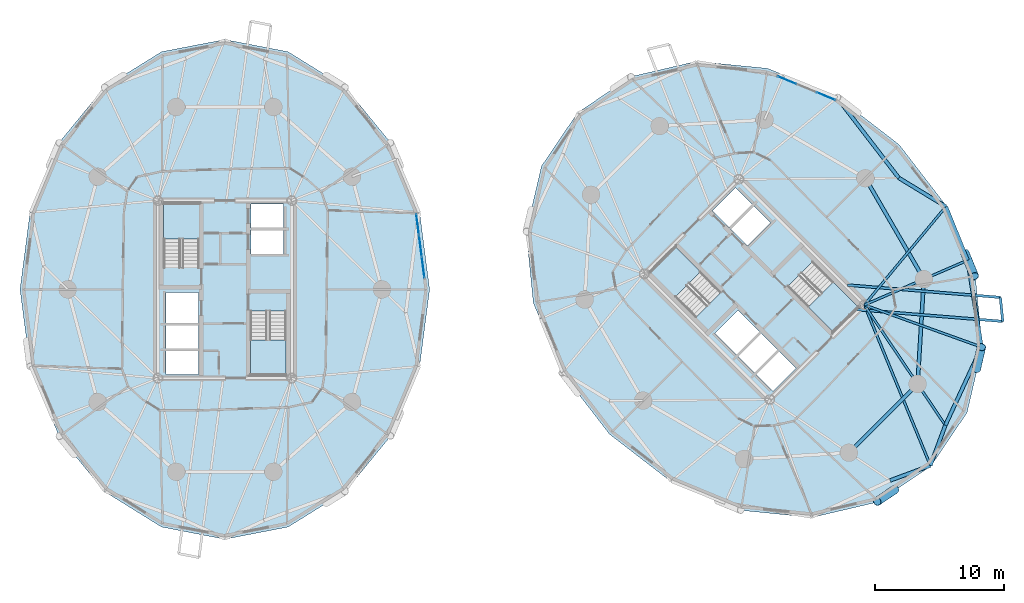
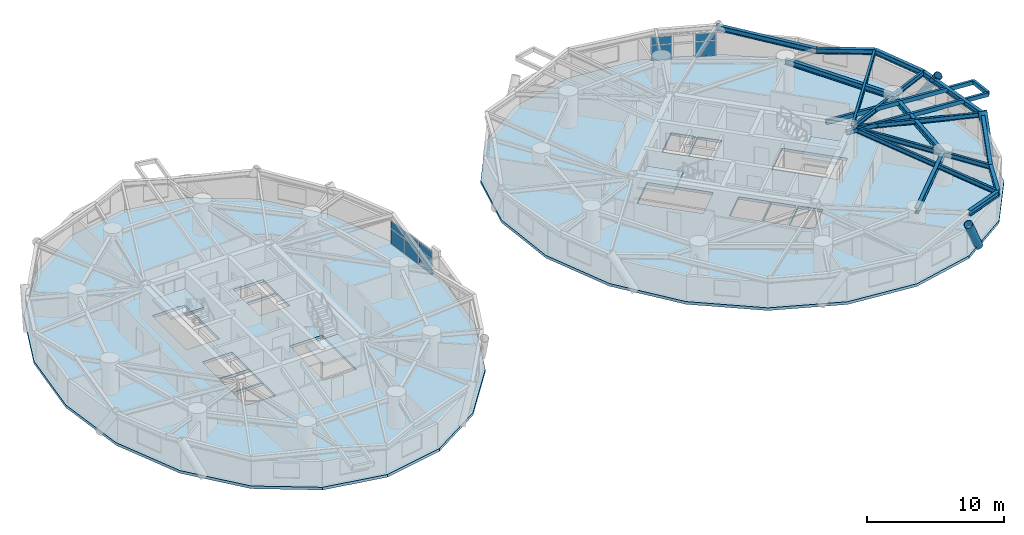
# One storey, part 8 of 17: 18 beams, 10 plates, 6 slabs, 3 members, 6 elements without a shape of their own.
"""IFC4 building model written with IfcOpenShell, lengths in metres."""

from ifc_helpers import new_model, si_unit, direction, frame, origin, origin_2d, place, context, subcontext, project, spatial, polyline, rectangle, hollow_rectangle, hollow_circle, i_section, outline, extrude, source, transform, mapped, material, layer, layer_set, material_profile, profile_set, type_object, element, aggregate, save


model = new_model("IFC4")

# Units and contexts
model_context = context("Model", 3, precision=1e-05, world=origin(), true_north=direction((0.0, 1.0)))
body_context = subcontext(model_context, "Body", "Model", "MODEL_VIEW")
ifc_project = project(units=[si_unit("LENGTHUNIT", "METRE"), si_unit("AREAUNIT", "SQUARE_METRE"), si_unit("VOLUMEUNIT", "CUBIC_METRE"), si_unit("PLANEANGLEUNIT", "RADIAN"), si_unit("MASSUNIT", "GRAM", prefix="KILO")], contexts=[model_context])

# Site, building, storey
site_placement = place(None, origin())
site = spatial("IfcSite", under=ifc_project, at=site_placement, CompositionType="ELEMENT")
building_placement = place(site_placement, origin())
building = spatial("IfcBuilding", under=site, at=building_placement, Name="Cununo Teusaquillo Station Towers", CompositionType="ELEMENT")
storey_placement = place(building_placement, frame((0.0, 0.0, 81.7900390625)))
storey = spatial("IfcBuildingStorey", under=building, at=storey_placement, Name="L25", CompositionType="ELEMENT", Elevation=81.7900390625)

# Beams
ifc_material_1 = material(Name="Steel EN 10025-2 S355J2", Category="steel")
ifc_material_profile_1 = material_profile(ifc_material_1, hollow_rectangle(XDim=0.199951171875, YDim=0.35009765625, WallThickness=0.013916015625, at=origin_2d()), Name="RHS 350x200x14")
ifc_profile_set_1 = profile_set([ifc_material_profile_1], Name="Steel EN 10025-2 S355J2")
beam_type_1 = type_object("IfcBeamType", Name="BM-BAL-CANT", PredefinedType="BEAM", material=ifc_profile_set_1)
beam_1_placement = place(storey_placement, frame((65.349609375, 22.945068359375, 2.494873046875), z_axis=(0.996745262171, -0.080615645749, 0.0), x_axis=(0.080615645749, 0.996745262171, 0.0)))
element("IfcBeam", 1, at=beam_1_placement, inside=storey, type_object=beam_type_1, Name="L25 Tower B Balcony Cantilever Bracket 2A", PredefinedType="BEAM", context=body_context, shape_type="SweptSolid", body=[
    extrude(hollow_rectangle(XDim=0.199951171875, YDim=0.35009765625, WallThickness=0.013916015625, at=origin_2d()), origin(), (0.0, 0.0, 1.0), 11.42626953125),
])
beam_2_placement = place(storey_placement, frame((64.73095703125, 24.835205078125, 2.494873046875), z_axis=(0.996743683159, -0.080635166538, 0.0), x_axis=(0.080635166538, 0.996743683159, 0.0)))
element("IfcBeam", 2, at=beam_2_placement, inside=storey, type_object=beam_type_1, Name="L25 Tower B Balcony Cantilever Bracket 2B", PredefinedType="BEAM", context=body_context, shape_type="SweptSolid", body=[
    extrude(hollow_rectangle(XDim=0.199951171875, YDim=0.35009765625, WallThickness=0.013916015625, at=origin_2d()), origin(), (0.0, 0.0, 1.0), 11.862548828125),
])
ifc_material_2 = material(Name="Steel ASTM A572 Grade 50", Category="steel")
ifc_material_profile_2 = material_profile(ifc_material_2, i_section(OverallWidth=0.180908203125, OverallDepth=0.4169921875, WebThickness=0.010986328125, FlangeThickness=0.018310546875, FilletRadius=0.012939453125, at=origin_2d()), Name="W16X57")
ifc_profile_set_2 = profile_set([ifc_material_profile_2], Name="Steel ASTM A572 Grade 50")
beam_type_2 = type_object("IfcBeamType", Name="BM-JOIST-1", PredefinedType="JOIST", material=ifc_profile_set_2)
beam_3_placement = place(storey_placement, frame((66.024169921875, 23.29443359375, 2.46142578125), z_axis=(0.380485864505, -0.924786735908, 0.0), x_axis=(0.924786735908, 0.380485864505, 0.0)))
element("IfcBeam", 3, at=beam_3_placement, inside=storey, type_object=beam_type_2, Name="L25 Tower B Radial Spandrel Joist V15", PredefinedType="JOIST", context=body_context, shape_type="SweptSolid", body=[
    extrude(i_section(OverallWidth=0.180908203125, OverallDepth=0.4169921875, WebThickness=0.010986328125, FlangeThickness=0.018310546875, FilletRadius=0.012939453125, at=origin_2d()), origin(), (0.0, 0.0, 1.0), 13.44580078125),
])
beam_4_placement = place(storey_placement, frame((66.024169921875, 23.29443359375, 2.46142578125), z_axis=(0.941082771055, -0.338176312038, 0.0), x_axis=(0.338176312038, 0.941082771055, 0.0)))
element("IfcBeam", 4, at=beam_4_placement, inside=storey, type_object=beam_type_2, Name="L25 Tower B Radial Spandrel Joist V17", PredefinedType="JOIST", context=body_context, shape_type="SweptSolid", body=[
    extrude(i_section(OverallWidth=0.180908203125, OverallDepth=0.4169921875, WebThickness=0.010986328125, FlangeThickness=0.018310546875, FilletRadius=0.012939453125, at=origin_2d()), origin(), (0.0, 0.0, 1.0), 9.646484375),
])
beam_5_placement = place(storey_placement, frame((66.024169921875, 23.29443359375, 2.46142578125), z_axis=(0.638372238196, 0.769727799615, 0.0), x_axis=(-0.769727799615, 0.638372238196, 0.0)))
element("IfcBeam", 5, at=beam_5_placement, inside=storey, type_object=beam_type_2, Name="L25 Tower B Radial Spandrel Joist V19", PredefinedType="JOIST", context=body_context, shape_type="SweptSolid", body=[
    extrude(i_section(OverallWidth=0.180908203125, OverallDepth=0.4169921875, WebThickness=0.010986328125, FlangeThickness=0.018310546875, FilletRadius=0.012939453125, at=origin_2d()), origin(), (0.0, 0.0, 1.0), 9.895263671875),
])
ifc_material_3 = material(Name="Steel ASTM A572 Grade 50", Category="steel")
ifc_material_profile_3 = material_profile(ifc_material_3, i_section(OverallWidth=0.180908203125, OverallDepth=0.4169921875, WebThickness=0.010986328125, FlangeThickness=0.018310546875, FilletRadius=0.012939453125, at=origin_2d()), Name="W16X57")
ifc_profile_set_3 = profile_set([ifc_material_profile_3], Name="Steel ASTM A572 Grade 50")
beam_type_3 = type_object("IfcBeamType", Name="BM-RAD-G2", PredefinedType="BEAM", material=ifc_profile_set_3)
beam_6_placement = place(storey_placement, frame((66.024169921875, 23.29443359375, 2.46142578125), z_axis=(0.558572297481, -0.82945583878, 0.0), x_axis=(0.82945583878, 0.558572297481, 0.0)))
element("IfcBeam", 6, at=beam_6_placement, inside=storey, type_object=beam_type_3, Name="L25 Tower B Continuous Overhanging Radial Girder 09", PredefinedType="BEAM", context=body_context, shape_type="SweptSolid", body=[
    extrude(i_section(OverallWidth=0.180908203125, OverallDepth=0.4169921875, WebThickness=0.010986328125, FlangeThickness=0.018310546875, FilletRadius=0.012939453125, at=origin_2d()), origin(), (0.0, 0.0, 1.0), 11.22998046875),
])
beam_7_placement = place(storey_placement, frame((66.024169921875, 23.29443359375, 2.46142578125), z_axis=(0.917654733344, 0.397378648609, 0.0), x_axis=(-0.397378648609, 0.917654733344, 0.0)))
element("IfcBeam", 7, at=beam_7_placement, inside=storey, type_object=beam_type_3, Name="L25 Tower B Continuous Overhanging Radial Girder 10", PredefinedType="BEAM", context=body_context, shape_type="SweptSolid", body=[
    extrude(i_section(OverallWidth=0.180908203125, OverallDepth=0.4169921875, WebThickness=0.010986328125, FlangeThickness=0.018310546875, FilletRadius=0.012939453125, at=origin_2d()), origin(), (0.0, 0.0, 1.0), 8.71484375),
])
ifc_material_4 = material(Name="Steel ASTM A572 Grade 50", Category="steel")
ifc_material_profile_4 = material_profile(ifc_material_4, i_section(OverallWidth=0.280029296875, OverallDepth=0.462890625, WebThickness=0.0107421875, FlangeThickness=0.017333984375, FilletRadius=0.013916015625, at=origin_2d()), Name="W18X76")
ifc_profile_set_4 = profile_set([ifc_material_profile_4], Name="Steel ASTM A572 Grade 50")
beam_type_4 = type_object("IfcBeamType", Name="BM-RING-Z2", PredefinedType="SPANDREL", material=ifc_profile_set_4)
beam_8_placement = place(storey_placement, frame((64.826904296875, 11.853759765625, 2.4384765625), z_axis=(0.707106781187, 0.707106781187, 0.0), x_axis=(-0.707106781187, 0.707106781187, 0.0)))
element("IfcBeam", 8, at=beam_8_placement, inside=storey, type_object=beam_type_4, Name="L25 Tower B Structural Column Ring Girder 08", PredefinedType="SPANDREL", context=body_context, shape_type="SweptSolid", body=[
    extrude(i_section(OverallWidth=0.280029296875, OverallDepth=0.462890625, WebThickness=0.0107421875, FlangeThickness=0.017333984375, FilletRadius=0.013916015625, at=origin_2d()), origin(), (0.0, 0.0, 1.0), 7.522705078125),
])
beam_9_placement = place(storey_placement, frame((70.146240234375, 17.173095703125, 2.4384765625), z_axis=(0.06012979176, 0.998190567048, 0.0), x_axis=(-0.998190567048, 0.06012979176, 0.0)))
element("IfcBeam", 9, at=beam_9_placement, inside=storey, type_object=beam_type_4, Name="L25 Tower B Structural Column Ring Girder 09", PredefinedType="SPANDREL", context=body_context, shape_type="SweptSolid", body=[
    extrude(i_section(OverallWidth=0.280029296875, OverallDepth=0.462890625, WebThickness=0.0107421875, FlangeThickness=0.017333984375, FilletRadius=0.013916015625, at=origin_2d()), origin(), (0.0, 0.0, 1.0), 8.132568359375),
])
beam_10_placement = place(storey_placement, frame((70.63525390625, 25.291015625, 2.4384765625), z_axis=(-0.501311121078, 0.865267103202, 0.0), x_axis=(-0.865267103202, -0.501311121078, 0.0)))
element("IfcBeam", 10, at=beam_10_placement, inside=storey, type_object=beam_type_4, Name="L25 Tower B Structural Column Ring Girder 10", PredefinedType="SPANDREL", context=body_context, shape_type="SweptSolid", body=[
    extrude(i_section(OverallWidth=0.280029296875, OverallDepth=0.462890625, WebThickness=0.0107421875, FlangeThickness=0.017333984375, FilletRadius=0.013916015625, at=origin_2d()), origin(), (0.0, 0.0, 1.0), 9.032958984375),
])
beam_11_placement = place(storey_placement, frame((68.694580078125, 33.12890625, 2.4384765625), z_axis=(-0.610100441726, 0.792324082056, 0.0), x_axis=(-0.792324082056, -0.610100441726, 0.0)))
element("IfcBeam", 11, at=beam_11_placement, inside=storey, type_object=beam_type_4, Name="L25 Tower B Spandrel Ring Beam 01", PredefinedType="SPANDREL", context=body_context, shape_type="SweptSolid", body=[
    extrude(i_section(OverallWidth=0.280029296875, OverallDepth=0.462890625, WebThickness=0.0107421875, FlangeThickness=0.017333984375, FilletRadius=0.013916015625, at=origin_2d()), origin(), (0.0, 0.0, 1.0), 7.84033203125),
])
for number, where, z_axis, x_axis, name in (
    (12, (68.020263671875, 9.703125, 2.4384765625), (0.937628334414, 0.347639333943, 0.0), (-0.347639333943, 0.937628334414, 0.0), "L25 Tower B Spandrel Ring Beam 15"),
    (13, (71.14013671875, 10.85986328125, 2.4384765625), (0.347639333943, 0.937628334414, 0.0), (-0.937628334414, 0.347639333943, 0.0), "L25 Tower B Spandrel Ring Beam 16"),
):
    element("IfcBeam", number, at=place(storey_placement, frame(where, z_axis=z_axis, x_axis=x_axis)), inside=storey, type_object=beam_type_4, Name=name, PredefinedType="SPANDREL", context=body_context, shape_type="SweptSolid", body=[
        extrude(i_section(OverallWidth=0.280029296875, OverallDepth=0.462890625, WebThickness=0.0107421875, FlangeThickness=0.017333984375, FilletRadius=0.013916015625, at=origin_2d()), origin(), (0.0, 0.0, 1.0), 3.327392578125),
    ])
beam_12_placement = place(storey_placement, frame((72.296875, 13.979736328125, 2.4384765625), z_axis=(0.420535961689, 0.907275870354, 0.0), x_axis=(-0.907275870354, 0.420535961689, 0.0)))
element("IfcBeam", 14, at=beam_12_placement, inside=storey, type_object=beam_type_4, Name="L25 Tower B Spandrel Ring Beam 17", PredefinedType="SPANDREL", context=body_context, shape_type="SweptSolid", body=[
    extrude(i_section(OverallWidth=0.280029296875, OverallDepth=0.462890625, WebThickness=0.0107421875, FlangeThickness=0.017333984375, FilletRadius=0.013916015625, at=origin_2d()), origin(), (0.0, 0.0, 1.0), 6.671142578125),
])
beam_13_placement = place(storey_placement, frame((75.102294921875, 20.0322265625, 2.4384765625), z_axis=(-0.158671232312, 0.987331474246, 0.0), x_axis=(-0.987331474246, -0.158671232312, 0.0)))
element("IfcBeam", 15, at=beam_13_placement, inside=storey, type_object=beam_type_4, Name="L25 Tower B Spandrel Ring Beam 18", PredefinedType="SPANDREL", context=body_context, shape_type="SweptSolid", body=[
    extrude(i_section(OverallWidth=0.280029296875, OverallDepth=0.462890625, WebThickness=0.0107421875, FlangeThickness=0.017333984375, FilletRadius=0.013916015625, at=origin_2d()), origin(), (0.0, 0.0, 1.0), 6.8115234375),
])
beam_14_placement = place(storey_placement, frame((74.021484375, 26.757568359375, 2.4384765625), z_axis=(-0.375042266631, 0.927007712072, 0.0), x_axis=(-0.927007712072, -0.375042266631, 0.0)))
element("IfcBeam", 16, at=beam_14_placement, inside=storey, type_object=beam_type_4, Name="L25 Tower B Spandrel Ring Beam 19", PredefinedType="SPANDREL", context=body_context, shape_type="SweptSolid", body=[
    extrude(i_section(OverallWidth=0.280029296875, OverallDepth=0.462890625, WebThickness=0.0107421875, FlangeThickness=0.017333984375, FilletRadius=0.013916015625, at=origin_2d()), origin(), (0.0, 0.0, 1.0), 4.480712890625),
])
beam_15_placement = place(storey_placement, frame((72.341064453125, 30.9111328125, 2.4384765625), z_axis=(-0.854388492444, 0.519634779416, 0.0), x_axis=(-0.519634779416, -0.854388492444, 0.0)))
element("IfcBeam", 17, at=beam_15_placement, inside=storey, type_object=beam_type_4, Name="L25 Tower B Spandrel Ring Beam 20", PredefinedType="SPANDREL", context=body_context, shape_type="SweptSolid", body=[
    extrude(i_section(OverallWidth=0.280029296875, OverallDepth=0.462890625, WebThickness=0.0107421875, FlangeThickness=0.017333984375, FilletRadius=0.013916015625, at=origin_2d()), origin(), (0.0, 0.0, 1.0), 4.26806640625),
])
ifc_material_5 = material(Name="Steel EN 10025-2 S355J2", Category="steel")
ifc_material_profile_5 = material_profile(ifc_material_5, hollow_rectangle(XDim=0.199951171875, YDim=0.35009765625, WallThickness=0.013916015625, at=origin_2d()), Name="RHS 350x200x14")
ifc_profile_set_5 = profile_set([ifc_material_profile_5], Name="Steel EN 10025-2 S355J2")
beam_type_5 = type_object("IfcBeamType", Name="BM-STAIR-TRIM", PredefinedType="BEAM", material=ifc_profile_set_5)
beam_16_placement = place(storey_placement, frame((76.73876953125, 22.02392578125, 2.52490234375), z_axis=(-0.098634743912, 0.995123704518, 0.0), x_axis=(-0.995123704518, -0.098634743912, 0.0)))
element("IfcBeam", 18, at=beam_16_placement, inside=storey, type_object=beam_type_5, Name="L25 Tower B Balcony Edge Trimmer Beam 2", PredefinedType="BEAM", context=body_context, shape_type="SweptSolid", body=[
    extrude(hollow_rectangle(XDim=0.199951171875, YDim=0.35009765625, WallThickness=0.013916015625, at=origin_2d()), origin(), (0.0, 0.0, 1.0), 1.86376953125),
])

# Members
ifc_material_6 = material(Name="Steel EN 10025-2 S355J2", Category="steel")
ifc_material_profile_6 = material_profile(ifc_material_6, hollow_circle(Radius=0.330078125, WallThickness=0.02490234375, at=origin_2d()), Name="CHS 660x25")
ifc_profile_set_6 = profile_set([ifc_material_profile_6], Name="Steel EN 10025-2 S355J2")
member_type = type_object("IfcMemberType", Name="MBR-DIAG-Z2", PredefinedType="BRACE", material=ifc_profile_set_6)
member_1_placement = place(storey_placement, frame((68.393310546875, 9.003173828125, -0.14013671875), z_axis=(-0.410098958558, -0.277214066725, 0.868890790261), x_axis=(0.560024081213, -0.828476329452, 0.0)))
element("IfcMember", 19, at=member_1_placement, inside=storey, type_object=member_type, Name="L25 Tower B Folded-Zigzag Diagrid Tube C14", PredefinedType="BRACE", context=body_context, shape_type="SweptSolid", body=[
    extrude(hollow_circle(Radius=0.330078125, WallThickness=0.02490234375, at=origin_2d()), origin(), (0.0, 0.0, 1.0), 3.349365234375),
])
member_2_placement = place(storey_placement, frame((74.7099609375, 18.348388671875, -0.14013671875), z_axis=(0.115903584987, 0.497440588461, 0.859720431268), x_axis=(-0.973913029911, 0.226921594761, 0.0)))
element("IfcMember", 20, at=member_2_placement, inside=storey, type_object=member_type, Name="L25 Tower B Folded-Zigzag Diagrid Tube C16", PredefinedType="BRACE", context=body_context, shape_type="SweptSolid", body=[
    extrude(hollow_circle(Radius=0.330078125, WallThickness=0.02490234375, at=origin_2d()), origin(), (0.0, 0.0, 1.0), 3.385009765625),
])
member_3_placement = place(storey_placement, frame((73.818115234375, 27.318115234375, -0.14013671875), z_axis=(0.211081064796, -0.513432884221, 0.831764063593), x_axis=(0.924888817599, 0.380237656053, 0.0)))
element("IfcMember", 21, at=member_3_placement, inside=storey, type_object=member_type, Name="L25 Tower B Folded-Zigzag Diagrid Tube C18", PredefinedType="BRACE", context=body_context, shape_type="SweptSolid", body=[
    extrude(hollow_circle(Radius=0.330078125, WallThickness=0.02490234375, at=origin_2d()), origin(), (0.0, 0.0, 1.0), 3.498779296875),
])

# Stair, slab
ifc_material_7 = material(Name="Concrete C50/60", Category="concrete")
stair_type = type_object("IfcStairType", Name="ST-TWR-1300", PredefinedType="HALF_TURN_STAIR", material=ifc_material_7)
stair_1_placement = place(storey_placement, origin())
stair_1 = element("IfcStair", 22, at=stair_1_placement, inside=storey, type_object=stair_type, Name="L25 Tower A Protected Core Exit Stair 1", PredefinedType="HALF_TURN_STAIR")
ifc_material_8 = material(Name="Concrete C50/60", Category="concrete")
ifc_layer_1 = layer(ifc_material_8, 0.199951171875)
ifc_layer_set_1 = layer_set([ifc_layer_1], Name="Concrete C50/60")
slab_type_1 = type_object("IfcSlabType", Name="SLB-STAIR-LND", PredefinedType="LANDING", material=ifc_layer_set_1)
slab_1_placement = place(storey_placement, frame((0.0, 0.0, 1.2548828125)))
slab_1 = element("IfcSlab", 23, at=slab_1_placement, type_object=slab_type_1, Name="ST-T1-1 landing 1", PredefinedType="LANDING", context=body_context, shape_type="SweptSolid", body=[
    extrude(outline(polyline([(14.52001953125, 28.409912109375), (14.52001953125, 31.159912109375), (11.760009765625, 31.159912109375), (11.760009765625, 28.409912109375), (14.52001953125, 28.409912109375)])), origin(), (0.0, 0.0, 1.0), 0.2001953125),
])
aggregate(stair_1, [slab_1])

stair_2_placement = place(storey_placement, origin())
stair_2 = element("IfcStair", 24, at=stair_2_placement, inside=storey, type_object=stair_type, Name="L25 Tower A Protected Core Exit Stair 2", PredefinedType="HALF_TURN_STAIR")
slab_2_placement = place(storey_placement, frame((0.0, 0.0, 1.2548828125)))
slab_2 = element("IfcSlab", 25, at=slab_2_placement, type_object=slab_type_1, Name="ST-T1-2 landing 1", PredefinedType="LANDING", context=body_context, shape_type="SweptSolid", body=[
    extrude(outline(polyline([(18.47998046875, 20.590087890625), (18.47998046875, 17.840087890625), (21.239990234375, 17.840087890625), (21.239990234375, 20.590087890625), (18.47998046875, 20.590087890625)])), origin(), (0.0, 0.0, 1.0), 0.2001953125),
])
aggregate(stair_2, [slab_2])

stair_3_placement = place(storey_placement, origin())
stair_3 = element("IfcStair", 26, at=stair_3_placement, inside=storey, type_object=stair_type, Name="L25 Tower B Protected Core Exit Stair 1", PredefinedType="HALF_TURN_STAIR")
slab_3_placement = place(storey_placement, frame((0.0, 0.0, 1.2548828125)))
slab_3 = element("IfcSlab", 27, at=slab_3_placement, type_object=slab_type_1, Name="ST-T2-1 landing 1", PredefinedType="LANDING", context=body_context, shape_type="SweptSolid", body=[
    extrude(outline(polyline([(53.335205078125, 25.86474609375), (51.390625, 27.809326171875), (49.43896484375, 25.857666015625), (51.383544921875, 23.9130859375), (53.335205078125, 25.86474609375)])), origin(), (0.0, 0.0, 1.0), 0.2001953125),
])
aggregate(stair_3, [slab_3])

stair_4_placement = place(storey_placement, origin())
stair_4 = element("IfcStair", 28, at=stair_4_placement, inside=storey, type_object=stair_type, Name="L25 Tower B Protected Core Exit Stair 2", PredefinedType="HALF_TURN_STAIR")
slab_4_placement = place(storey_placement, frame((0.0, 0.0, 1.2548828125)))
slab_4 = element("IfcSlab", 29, at=slab_4_placement, type_object=slab_type_1, Name="ST-T2-2 landing 1", PredefinedType="LANDING", context=body_context, shape_type="SweptSolid", body=[
    extrude(outline(polyline([(61.664794921875, 23.13525390625), (63.609375, 21.190673828125), (65.56103515625, 23.142333984375), (63.616455078125, 25.0869140625), (61.664794921875, 23.13525390625)])), origin(), (0.0, 0.0, 1.0), 0.2001953125),
])
aggregate(stair_4, [slab_4])

# Slabs
ifc_material_9 = material(Name="Concrete C40/50", Category="concrete")
ifc_layer_2 = layer(ifc_material_9, 0.239990234375)
ifc_layer_set_2 = layer_set([ifc_layer_2], Name="Concrete C40/50")
slab_type_2 = type_object("IfcSlabType", Name="SLB-Z2-240", PredefinedType="FLOOR", material=ifc_layer_set_2)
slab_5_placement = place(storey_placement, frame((0.0, 0.0, -0.239990234375)))
element("IfcSlab", 30, at=slab_5_placement, inside=storey, type_object=slab_type_2, Name="L25 Tower A Floor Slab", PredefinedType="FLOOR", context=body_context, shape_type="SweptSolid", body=[
    extrude(outline(polyline([(32.361083984375, 24.5), (31.584716796875, 30.4794921875), (29.331787109375, 35.87353515625), (25.822998046875, 40.154541015625), (21.4013671875, 42.90283203125), (16.5, 43.85009765625), (11.5986328125, 42.90283203125), (7.177001953125, 40.154541015625), (3.668212890625, 35.87353515625), (1.415283203125, 30.4794921875), (0.638916015625, 24.5), (1.415283203125, 18.5205078125), (3.668212890625, 13.12646484375), (7.177001953125, 8.845458984375), (11.5986328125, 6.09716796875), (16.5, 5.14990234375), (21.4013671875, 6.09716796875), (25.822998046875, 8.845458984375), (29.331787109375, 13.12646484375), (31.584716796875, 18.5205078125), (32.361083984375, 24.5)]), holes=[polyline([(14.52001953125, 26.176025390625), (14.52001953125, 31.159912109375), (11.760009765625, 31.159912109375), (11.760009765625, 26.176025390625), (14.52001953125, 26.176025390625)]), polyline([(18.47998046875, 22.823974609375), (18.47998046875, 17.840087890625), (21.239990234375, 17.840087890625), (21.239990234375, 22.823974609375), (18.47998046875, 22.823974609375)]), polyline([(11.949951171875, 21.85009765625), (14.47998046875, 21.85009765625), (14.47998046875, 24.25), (11.949951171875, 24.25), (11.949951171875, 21.85009765625)]), polyline([(11.949951171875, 17.89990234375), (14.47998046875, 17.89990234375), (14.47998046875, 19.75), (11.949951171875, 19.75), (11.949951171875, 17.89990234375)]), polyline([(11.949951171875, 19.89990234375), (14.47998046875, 19.89990234375), (14.47998046875, 21.75), (11.949951171875, 21.75), (11.949951171875, 19.89990234375)]), polyline([(18.52001953125, 27.25), (21.050048828125, 27.25), (21.050048828125, 29.10009765625), (18.52001953125, 29.10009765625), (18.52001953125, 27.25)]), polyline([(18.52001953125, 29.25), (21.050048828125, 29.25), (21.050048828125, 31.10009765625), (18.52001953125, 31.10009765625), (18.52001953125, 29.25)])]), origin(), (0.0, 0.0, 1.0), 0.239990234375),
])
slab_6_placement = place(storey_placement, frame((0.0, 0.0, -0.239990234375)))
element("IfcSlab", 31, at=slab_6_placement, inside=storey, type_object=slab_type_2, Name="L25 Tower B Floor Slab", PredefinedType="FLOOR", context=body_context, shape_type="SweptSolid", body=[
    extrude(outline(polyline([(68.71533203125, 35.71533203125), (63.938232421875, 39.39453125), (58.531005859375, 41.61572265625), (53.02294921875, 42.16162109375), (47.952880859375, 40.978515625), (43.8173828125, 38.1826171875), (41.021484375, 34.047119140625), (39.83837890625, 28.97705078125), (40.38427734375, 23.468994140625), (42.60546875, 18.061767578125), (46.28466796875, 13.28466796875), (51.061767578125, 9.60546875), (56.468994140625, 7.38427734375), (61.97705078125, 6.83837890625), (67.047119140625, 8.021484375), (71.1826171875, 10.8173828125), (73.978515625, 14.952880859375), (75.16162109375, 20.02294921875), (74.61572265625, 25.531005859375), (72.39453125, 30.938232421875), (68.71533203125, 35.71533203125)]), holes=[polyline([(54.914794921875, 24.28515625), (51.390625, 27.809326171875), (49.43896484375, 25.857666015625), (52.963134765625, 22.33349609375), (54.914794921875, 24.28515625)]), polyline([(60.085205078125, 24.71484375), (63.609375, 21.190673828125), (65.56103515625, 23.142333984375), (62.036865234375, 26.66650390625), (60.085205078125, 24.71484375)]), polyline([(56.156494140625, 19.40869140625), (57.945556640625, 21.19775390625), (56.248291015625, 22.89501953125), (54.45947265625, 21.10595703125), (56.156494140625, 19.40869140625)]), polyline([(58.94970703125, 16.61572265625), (60.738525390625, 18.40478515625), (59.430419921875, 19.712890625), (57.641357421875, 17.923828125), (58.94970703125, 16.61572265625)]), polyline([(57.535400390625, 18.030029296875), (59.32421875, 19.819091796875), (58.01611328125, 21.127197265625), (56.227294921875, 19.338134765625), (57.535400390625, 18.030029296875)]), polyline([(56.98388671875, 27.872802734375), (58.772705078125, 29.661865234375), (57.464599609375, 30.969970703125), (55.67578125, 29.180908203125), (56.98388671875, 27.872802734375)]), polyline([(55.569580078125, 29.287109375), (57.358642578125, 31.076171875), (56.05029296875, 32.38427734375), (54.261474609375, 30.59521484375), (55.569580078125, 29.287109375)])]), origin(), (0.0, 0.0, 1.0), 0.239990234375),
])

# Curtain wall, plates
ifc_material_10 = material(Name="Ceramic-fritted dark low-E double glazing", Category="glass")
ifc_layer_3 = layer(ifc_material_10, 0.179931640625)
ifc_layer_set_3 = layer_set([ifc_layer_3], Name="Ceramic-fritted dark low-E double glazing")
curtain_wall_type = type_object("IfcCurtainWallType", Name="CW-SYS-04", PredefinedType="USERDEFINED", material=ifc_layer_set_3)
curtain_wall_1_placement = place(storey_placement, origin())
curtain_wall_1 = element("IfcCurtainWall", 32, at=curtain_wall_1_placement, inside=storey, type_object=curtain_wall_type, Name="L25 Tower A Facade Curtain Wall C00", ObjectType="FRITTED GLAZING", PredefinedType="USERDEFINED")
ifc_material_11 = material(Name="Ceramic-fritted dark low-E double glazing", Category="glass")
ifc_layer_4 = layer(ifc_material_11, 0.028076171875)
ifc_layer_set_4 = layer_set([ifc_layer_4], Name="Ceramic-fritted dark low-E double glazing")
plate_type = type_object("IfcPlateType", Name="CWP-FRIT-28", PredefinedType="CURTAIN_PANEL", material=ifc_layer_set_4)
shared_shape_1 = source(origin(), body_context, "Body", "SweptSolid", [
    extrude(rectangle(XDim=1.59228515625, YDim=0.028076171875, at=origin_2d()), origin(), (0.0, 0.0, 1.0), 1.31103515625),
])
plate_1_placement = place(storey_placement, frame((31.429443359375, 29.533935546875, 0.06982421875), z_axis=(0.0, 0.0, 1.0), x_axis=(0.128335852387, -0.991730764367, 0.0)))
plate_1 = element("IfcPlate", 33, at=plate_1_placement, type_object=plate_type, Name="CW-04 panel 1.1", PredefinedType="CURTAIN_PANEL", context=body_context, shape_type="MappedRepresentation", body=[
    mapped(shared_shape_1, transform((0.0, 0.0, 0.0), x_axis=(1.0, 0.0, 0.0), y_axis=(0.0, 1.0, 0.0), z_axis=(0.0, 0.0, 1.0), scale=1.0)),
])
plate_2_placement = place(storey_placement, frame((31.86083984375, 26.201904296875, 0.06982421875), z_axis=(0.0, 0.0, 1.0), x_axis=(0.128335852387, -0.991730764367, 0.0)))
plate_2 = element("IfcPlate", 34, at=plate_2_placement, type_object=plate_type, Name="CW-04 panel 3.1", PredefinedType="CURTAIN_PANEL", context=body_context, shape_type="MappedRepresentation", body=[
    mapped(shared_shape_1, transform((0.0, 0.0, 0.0), x_axis=(1.0, 0.0, 0.0), y_axis=(0.0, 1.0, 0.0), z_axis=(0.0, 0.0, 1.0), scale=1.0)),
])
shared_shape_2 = source(origin(), body_context, "Body", "SweptSolid", [
    extrude(rectangle(XDim=1.59228515625, YDim=0.028076171875, at=origin_2d()), origin(), (0.0, 0.0, 1.0), 0.657958984375),
])
plate_3_placement = place(storey_placement, frame((31.429443359375, 29.533935546875, 1.451171875), z_axis=(0.0, 0.0, 1.0), x_axis=(0.128335852387, -0.991730764367, 0.0)))
plate_3 = element("IfcPlate", 35, at=plate_3_placement, type_object=plate_type, Name="CW-04 panel 1.2", PredefinedType="CURTAIN_PANEL", context=body_context, shape_type="MappedRepresentation", body=[
    mapped(shared_shape_2, transform((0.0, 0.0, 0.0), x_axis=(1.0, 0.0, 0.0), y_axis=(0.0, 1.0, 0.0), z_axis=(0.0, 0.0, 1.0), scale=1.0)),
])
plate_4_placement = place(storey_placement, frame((31.86083984375, 26.201904296875, 1.451171875), z_axis=(0.0, 0.0, 1.0), x_axis=(0.128335852387, -0.991730764367, 0.0)))
plate_4 = element("IfcPlate", 36, at=plate_4_placement, type_object=plate_type, Name="CW-04 panel 3.2", PredefinedType="CURTAIN_PANEL", context=body_context, shape_type="MappedRepresentation", body=[
    mapped(shared_shape_2, transform((0.0, 0.0, 0.0), x_axis=(1.0, 0.0, 0.0), y_axis=(0.0, 1.0, 0.0), z_axis=(0.0, 0.0, 1.0), scale=1.0)),
])
shared_shape_3 = source(origin(), body_context, "Body", "SweptSolid", [
    extrude(rectangle(XDim=1.62744140625, YDim=0.028076171875, at=origin_2d()), origin(), (0.0, 0.0, 1.0), 1.31103515625),
])
plate_5_placement = place(storey_placement, frame((31.645263671875, 27.867919921875, 0.06982421875), z_axis=(0.0, 0.0, 1.0), x_axis=(0.128335852387, -0.991730764367, 0.0)))
plate_5 = element("IfcPlate", 37, at=plate_5_placement, type_object=plate_type, Name="CW-04 panel 2.1", PredefinedType="CURTAIN_PANEL", context=body_context, shape_type="MappedRepresentation", body=[
    mapped(shared_shape_3, transform((0.0, 0.0, 0.0), x_axis=(1.0, 0.0, 0.0), y_axis=(0.0, 1.0, 0.0), z_axis=(0.0, 0.0, 1.0), scale=1.0)),
])
shared_shape_4 = source(origin(), body_context, "Body", "SweptSolid", [
    extrude(rectangle(XDim=1.62744140625, YDim=0.028076171875, at=origin_2d()), origin(), (0.0, 0.0, 1.0), 0.657958984375),
])
plate_6_placement = place(storey_placement, frame((31.645263671875, 27.867919921875, 1.451171875), z_axis=(0.0, 0.0, 1.0), x_axis=(0.128335852387, -0.991730764367, 0.0)))
plate_6 = element("IfcPlate", 38, at=plate_6_placement, type_object=plate_type, Name="CW-04 panel 2.2", PredefinedType="CURTAIN_PANEL", context=body_context, shape_type="MappedRepresentation", body=[
    mapped(shared_shape_4, transform((0.0, 0.0, 0.0), x_axis=(1.0, 0.0, 0.0), y_axis=(0.0, 1.0, 0.0), z_axis=(0.0, 0.0, 1.0), scale=1.0)),
])
aggregate(curtain_wall_1, [plate_1, plate_3, plate_5, plate_6, plate_2, plate_4])

curtain_wall_2_placement = place(storey_placement, origin())
curtain_wall_2 = element("IfcCurtainWall", 39, at=curtain_wall_2_placement, inside=storey, type_object=curtain_wall_type, Name="L25 Tower B Facade Curtain Wall C01", ObjectType="FRITTED GLAZING", PredefinedType="USERDEFINED")
shared_shape_5 = source(origin(), body_context, "Body", "SweptSolid", [
    extrude(rectangle(XDim=1.531005859375, YDim=0.028076171875, at=origin_2d()), origin(), (0.0, 0.0, 1.0), 1.31103515625),
])
plate_7_placement = place(storey_placement, frame((60.045654296875, 40.697021484375, 0.06982421875), z_axis=(0.0, 0.0, 1.0), x_axis=(0.924562443652, -0.381030560176, 0.0)))
plate_7 = element("IfcPlate", 40, at=plate_7_placement, type_object=plate_type, Name="CW-04 panel 1.1", PredefinedType="CURTAIN_PANEL", context=body_context, shape_type="MappedRepresentation", body=[
    mapped(shared_shape_5, transform((0.0, 0.0, 0.0), x_axis=(1.0, 0.0, 0.0), y_axis=(0.0, 1.0, 0.0), z_axis=(0.0, 0.0, 1.0), scale=1.0)),
])
plate_8_placement = place(storey_placement, frame((63.03857421875, 39.463623046875, 0.06982421875), z_axis=(0.0, 0.0, 1.0), x_axis=(0.924562443652, -0.381030560176, 0.0)))
plate_8 = element("IfcPlate", 41, at=plate_8_placement, type_object=plate_type, Name="CW-04 panel 3.1", PredefinedType="CURTAIN_PANEL", context=body_context, shape_type="MappedRepresentation", body=[
    mapped(shared_shape_5, transform((0.0, 0.0, 0.0), x_axis=(1.0, 0.0, 0.0), y_axis=(0.0, 1.0, 0.0), z_axis=(0.0, 0.0, 1.0), scale=1.0)),
])
shared_shape_6 = source(origin(), body_context, "Body", "SweptSolid", [
    extrude(rectangle(XDim=1.531005859375, YDim=0.028076171875, at=origin_2d()), origin(), (0.0, 0.0, 1.0), 0.657958984375),
])
plate_9_placement = place(storey_placement, frame((60.045654296875, 40.697021484375, 1.451171875), z_axis=(0.0, 0.0, 1.0), x_axis=(0.924562443652, -0.381030560176, 0.0)))
plate_9 = element("IfcPlate", 42, at=plate_9_placement, type_object=plate_type, Name="CW-04 panel 1.2", PredefinedType="CURTAIN_PANEL", context=body_context, shape_type="MappedRepresentation", body=[
    mapped(shared_shape_6, transform((0.0, 0.0, 0.0), x_axis=(1.0, 0.0, 0.0), y_axis=(0.0, 1.0, 0.0), z_axis=(0.0, 0.0, 1.0), scale=1.0)),
])
plate_10_placement = place(storey_placement, frame((63.03857421875, 39.463623046875, 1.451171875), z_axis=(0.0, 0.0, 1.0), x_axis=(0.924562443652, -0.381030560176, 0.0)))
plate_10 = element("IfcPlate", 43, at=plate_10_placement, type_object=plate_type, Name="CW-04 panel 3.2", PredefinedType="CURTAIN_PANEL", context=body_context, shape_type="MappedRepresentation", body=[
    mapped(shared_shape_6, transform((0.0, 0.0, 0.0), x_axis=(1.0, 0.0, 0.0), y_axis=(0.0, 1.0, 0.0), z_axis=(0.0, 0.0, 1.0), scale=1.0)),
])
aggregate(curtain_wall_2, [plate_7, plate_9, plate_8, plate_10])

save(model, "model.ifc")
